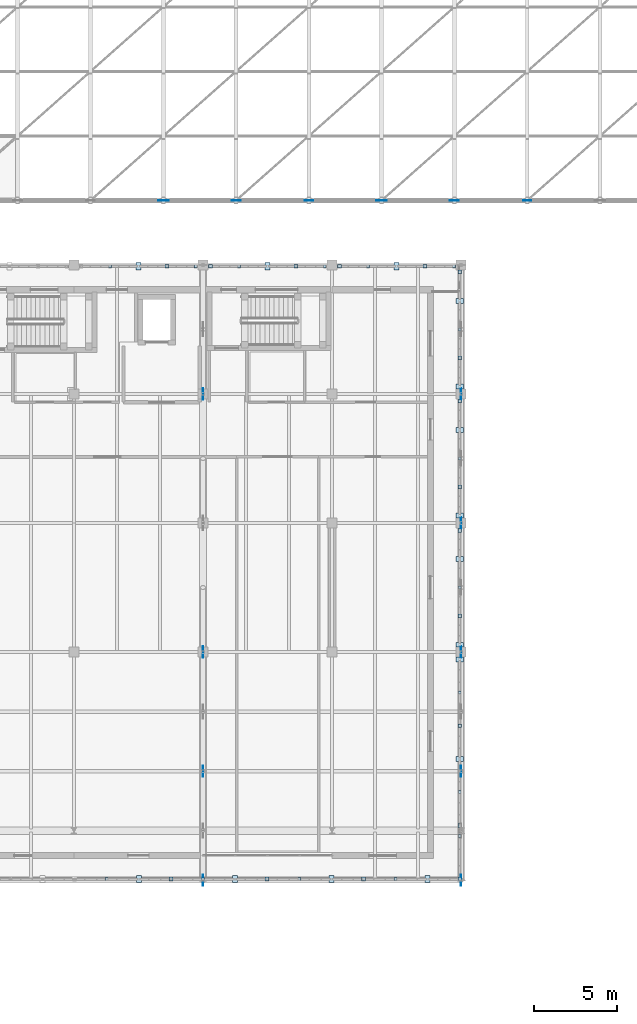
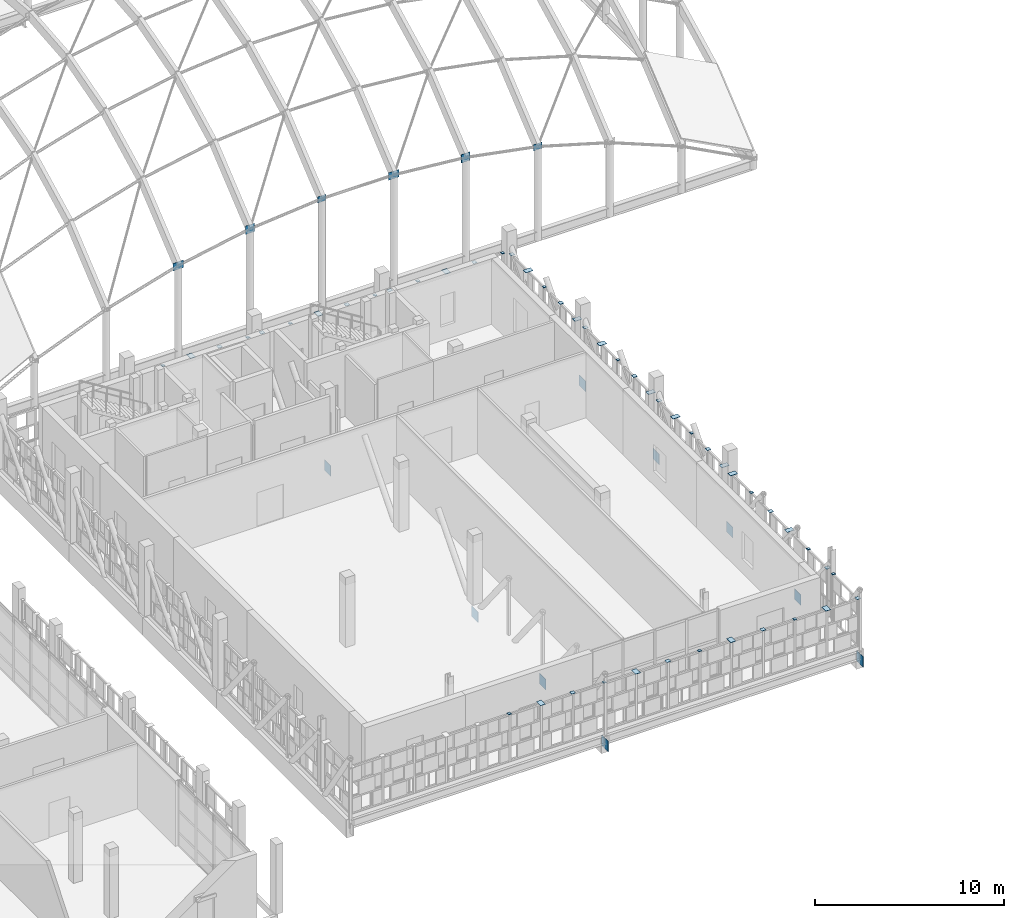
# One storey, part 79 of 119: 63 plates.
"""IFC4 building model written with IfcOpenShell, lengths in metres."""

from ifc_helpers import new_model, si_unit, direction, frame, origin, origin_2d, place, context, subcontext, project, spatial, rectangle, extrude, material, layer, layer_set, type_object, element, save


model = new_model("IFC4")

# Units and contexts
model_context = context("Model", 3, precision=1e-05, world=origin(), true_north=direction((0.0, 1.0)))
body_context = subcontext(model_context, "Body", "Model", "MODEL_VIEW")
ifc_project = project(units=[si_unit("LENGTHUNIT", "METRE"), si_unit("AREAUNIT", "SQUARE_METRE"), si_unit("VOLUMEUNIT", "CUBIC_METRE"), si_unit("PLANEANGLEUNIT", "RADIAN"), si_unit("MASSUNIT", "GRAM", prefix="KILO")], contexts=[model_context])

# Site, building, storey
site_placement = place(None, origin())
site = spatial("IfcSite", under=ifc_project, at=site_placement, CompositionType="ELEMENT")
building_placement = place(site_placement, origin())
building = spatial("IfcBuilding", under=site, at=building_placement, Name="Celorna Specialist Clinic", CompositionType="ELEMENT")
storey_placement = place(building_placement, frame((0.0, 0.0, 9.60009765625)))
storey = spatial("IfcBuildingStorey", under=building, at=storey_placement, Name="L02", CompositionType="ELEMENT", Elevation=9.60009765625)

# Plates
ifc_material = material(Name="Steel S355", Category="steel")
ifc_layer_1 = layer(ifc_material, 0.011962890625, Name="Steel S355")
ifc_layer_set_1 = layer_set([ifc_layer_1], Name="Steel S355")
plate_type_1 = type_object("IfcPlateType", Name="EP-06", PredefinedType="SHEET", material=ifc_layer_set_1)
for number, where, z_axis, x_axis, name in (
    (1, (64.3798828125, 5.780029296875, 3.080078125), (0.0, 0.0, 1.0), (1.0, 0.0, 0.0), "Screen post cap plate EP-06 #6"),
    (2, (70.199951171875, 5.780029296875, 3.080078125), (0.0, 0.0, 1.0), (1.0, 0.0, 0.0), "Screen post cap plate EP-06 #9"),
    (3, (76.02001953125, 5.780029296875, 3.080078125), (0.0, 0.0, 1.0), (1.0, 0.0, 0.0), "Screen post cap plate EP-06 #12"),
    (4, (81.840087890625, 5.780029296875, 3.080078125), (0.0, 0.0, 1.0), (1.0, 0.0, 0.0), "Screen post cap plate EP-06 #15"),
    (5, (85.719970703125, 8.3798828125, 3.080078125), (0.0, 0.0, 1.0), (0.0, 1.0, 0.0), "Screen post cap plate EP-06 #351"),
    (6, (85.719970703125, 11.028076171875, 3.080078125), (0.0, 0.0, 1.0), (0.0, 1.0, 0.0), "Screen post cap plate EP-06 #357"),
    (7, (85.719970703125, 17.052001953125, 3.080078125), (0.0, 0.0, 1.0), (0.0, 1.0, 0.0), "Screen post cap plate EP-06 #360"),
    (8, (85.719970703125, 23.39990234375, 3.080078125), (0.0, 0.0, 1.0), (0.0, 1.0, 0.0), "Screen post cap plate EP-06 #384"),
    (9, (85.719970703125, 31.199951171875, 3.080078125), (0.0, 0.0, 1.0), (0.0, 1.0, 0.0), "Screen post cap plate EP-06 #405"),
    (10, (85.719970703125, 39.0, 3.080078125), (0.0, 0.0, 1.0), (0.0, 1.0, 0.0), "Screen post cap plate EP-06 #426"),
    (11, (64.570068359375, 42.820068359375, 3.080078125), (0.0, 0.0, 1.0), (1.0, 0.0, 0.0), "Screen post cap plate EP-06 #561"),
    (12, (69.760009765625, 42.820068359375, 3.080078125), (0.0, 0.0, 1.0), (1.0, 0.0, 0.0), "Screen post cap plate EP-06 #564"),
    (13, (72.3701171875, 42.820068359375, 3.080078125), (0.0, 0.0, 1.0), (1.0, 0.0, 0.0), "Screen post cap plate EP-06 #582"),
    (14, (77.56005859375, 42.820068359375, 3.080078125), (0.0, 0.0, 1.0), (1.0, 0.0, 0.0), "Screen post cap plate EP-06 #585"),
    (15, (80.169921875, 42.820068359375, 3.080078125), (0.0, 0.0, 1.0), (1.0, 0.0, 0.0), "Screen post cap plate EP-06 #603"),
    (16, (85.360107421875, 42.820068359375, 3.080078125), (0.0, 0.0, 1.0), (1.0, 0.0, 0.0), "Screen post cap plate EP-06 #606"),
):
    element("IfcPlate", number, at=place(storey_placement, frame(where, z_axis=z_axis, x_axis=x_axis)), inside=storey, type_object=plate_type_1, Name=name, PredefinedType="SHEET", context=body_context, shape_type="SweptSolid", body=[
        extrude(rectangle(XDim=0.179931640625, YDim=0.179931640625, at=origin_2d()), origin(), (0.0, 0.0, 1.0), 0.011962890625),
    ])
ifc_layer_2 = layer(ifc_material, 0.01611328125, Name="Steel S355")
ifc_layer_set_2 = layer_set([ifc_layer_2], Name="Steel S355")
plate_type_2 = type_object("IfcPlateType", Name="EP-07", PredefinedType="SHEET", material=ifc_layer_set_2)
for number, where, z_axis, x_axis, name in (
    (17, (66.320068359375, 5.780029296875, 3.079833984375), (0.0, 0.0, 1.0), (1.0, 0.0, 0.0), "Screen post cap plate EP-07 #7"),
    (18, (72.139892578125, 5.780029296875, 3.079833984375), (0.0, 0.0, 1.0), (1.0, 0.0, 0.0), "Screen post cap plate EP-07 #10"),
    (19, (77.9599609375, 5.780029296875, 3.079833984375), (0.0, 0.0, 1.0), (1.0, 0.0, 0.0), "Screen post cap plate EP-07 #13"),
    (20, (83.780029296875, 5.780029296875, 3.079833984375), (0.0, 0.0, 1.0), (1.0, 0.0, 0.0), "Screen post cap plate EP-07 #16"),
    (21, (85.719970703125, 13.035888671875, 3.079833984375), (0.0, 0.0, 1.0), (0.0, 1.0, 0.0), "Screen post cap plate EP-07 #358"),
    (22, (85.719970703125, 19.06005859375, 3.079833984375), (0.0, 0.0, 1.0), (0.0, 1.0, 0.0), "Screen post cap plate EP-07 #361"),
    (23, (85.719970703125, 19.93994140625, 3.079833984375), (0.0, 0.0, 1.0), (0.0, 1.0, 0.0), "Screen post cap plate EP-07 #382"),
    (24, (85.719970703125, 25.1298828125, 3.079833984375), (0.0, 0.0, 1.0), (0.0, 1.0, 0.0), "Screen post cap plate EP-07 #385"),
    (25, (85.719970703125, 27.739990234375, 3.079833984375), (0.0, 0.0, 1.0), (0.0, 1.0, 0.0), "Screen post cap plate EP-07 #403"),
    (26, (85.719970703125, 32.929931640625, 3.079833984375), (0.0, 0.0, 1.0), (0.0, 1.0, 0.0), "Screen post cap plate EP-07 #406"),
    (27, (85.719970703125, 35.5400390625, 3.079833984375), (0.0, 0.0, 1.0), (0.0, 1.0, 0.0), "Screen post cap plate EP-07 #424"),
    (28, (85.719970703125, 40.72998046875, 3.079833984375), (0.0, 0.0, 1.0), (0.0, 1.0, 0.0), "Screen post cap plate EP-07 #427"),
    (29, (66.300048828125, 42.820068359375, 3.079833984375), (0.0, 0.0, 1.0), (1.0, 0.0, 0.0), "Screen post cap plate EP-07 #562"),
    (30, (74.10009765625, 42.820068359375, 3.079833984375), (0.0, 0.0, 1.0), (1.0, 0.0, 0.0), "Screen post cap plate EP-07 #583"),
    (31, (81.89990234375, 42.820068359375, 3.079833984375), (0.0, 0.0, 1.0), (1.0, 0.0, 0.0), "Screen post cap plate EP-07 #604"),
):
    element("IfcPlate", number, at=place(storey_placement, frame(where, z_axis=z_axis, x_axis=x_axis)), inside=storey, type_object=plate_type_2, Name=name, PredefinedType="SHEET", context=body_context, shape_type="SweptSolid", body=[
        extrude(rectangle(XDim=0.300048828125, YDim=0.43994140625, at=origin_2d()), origin(), (0.0, 0.0, 1.0), 0.01611328125),
    ])
ifc_layer_3 = layer(ifc_material, 0.013916015625, Name="Steel S355")
ifc_layer_set_3 = layer_set([ifc_layer_3], Name="Steel S355")
plate_type_3 = type_object("IfcPlateType", Name="EP-08", PredefinedType="SHEET", material=ifc_layer_set_3)
for number, where, z_axis, x_axis, name in (
    (32, (68.260009765625, 5.780029296875, 3.080078125), (0.0, 0.0, 1.0), (1.0, 0.0, 0.0), "Screen post cap plate EP-08 #8"),
    (33, (74.080078125, 5.780029296875, 3.080078125), (0.0, 0.0, 1.0), (1.0, 0.0, 0.0), "Screen post cap plate EP-08 #11"),
    (34, (79.89990234375, 5.780029296875, 3.080078125), (0.0, 0.0, 1.0), (1.0, 0.0, 0.0), "Screen post cap plate EP-08 #14"),
    (35, (85.719970703125, 5.780029296875, 3.080078125), (0.0, 0.0, 1.0), (1.0, 0.0, 0.0), "Screen post cap plate EP-08 #17"),
    (36, (85.719970703125, 9.02001953125, 3.080078125), (0.0, 0.0, 1.0), (0.0, 1.0, 0.0), "Screen post cap plate EP-08 #356"),
    (37, (85.719970703125, 15.0439453125, 3.080078125), (0.0, 0.0, 1.0), (0.0, 1.0, 0.0), "Screen post cap plate EP-08 #359"),
    (38, (85.719970703125, 21.669921875, 3.080078125), (0.0, 0.0, 1.0), (0.0, 1.0, 0.0), "Screen post cap plate EP-08 #383"),
    (39, (85.719970703125, 26.860107421875, 3.080078125), (0.0, 0.0, 1.0), (0.0, 1.0, 0.0), "Screen post cap plate EP-08 #386"),
    (40, (85.719970703125, 29.469970703125, 3.080078125), (0.0, 0.0, 1.0), (0.0, 1.0, 0.0), "Screen post cap plate EP-08 #404"),
    (41, (85.719970703125, 34.659912109375, 3.080078125), (0.0, 0.0, 1.0), (0.0, 1.0, 0.0), "Screen post cap plate EP-08 #407"),
    (42, (85.719970703125, 37.27001953125, 3.080078125), (0.0, 0.0, 1.0), (0.0, 1.0, 0.0), "Screen post cap plate EP-08 #425"),
    (43, (85.719970703125, 42.4599609375, 3.080078125), (0.0, 0.0, 1.0), (0.0, 1.0, 0.0), "Screen post cap plate EP-08 #428"),
    (44, (68.030029296875, 42.820068359375, 3.080078125), (0.0, 0.0, 1.0), (1.0, 0.0, 0.0), "Screen post cap plate EP-08 #563"),
    (45, (70.639892578125, 42.820068359375, 3.080078125), (0.0, 0.0, 1.0), (1.0, 0.0, 0.0), "Screen post cap plate EP-08 #581"),
    (46, (75.830078125, 42.820068359375, 3.080078125), (0.0, 0.0, 1.0), (1.0, 0.0, 0.0), "Screen post cap plate EP-08 #584"),
    (47, (78.43994140625, 42.820068359375, 3.080078125), (0.0, 0.0, 1.0), (1.0, 0.0, 0.0), "Screen post cap plate EP-08 #602"),
    (48, (83.6298828125, 42.820068359375, 3.080078125), (0.0, 0.0, 1.0), (1.0, 0.0, 0.0), "Screen post cap plate EP-08 #605"),
):
    element("IfcPlate", number, at=place(storey_placement, frame(where, z_axis=z_axis, x_axis=x_axis)), inside=storey, type_object=plate_type_3, Name=name, PredefinedType="SHEET", context=body_context, shape_type="SweptSolid", body=[
        extrude(rectangle(XDim=0.239990234375, YDim=0.239990234375, at=origin_2d()), origin(), (0.0, 0.0, 1.0), 0.013916015625),
    ])
ifc_layer_4 = layer(ifc_material, 0.02197265625, Name="Steel S355")
ifc_layer_set_4 = layer_set([ifc_layer_4], Name="Steel S355")
plate_type_4 = type_object("IfcPlateType", Name="GP-03", PredefinedType="USERDEFINED", material=ifc_layer_set_4)
for number, where, z_axis, x_axis, name in (
    (49, (67.800048828125, 46.800048828125, 5.751953125), (0.0, 0.0, 1.0), (1.0, 0.0, 0.0), "GSH-V1 gridshell steel node shoe GN-04"),
    (50, (81.0, 46.800048828125, 7.00341796875), (0.0, 0.0, 1.0), (1.0, 0.0, 0.0), "GSH-V1 gridshell steel node shoe GN-07"),
):
    element("IfcPlate", number, at=place(storey_placement, frame(where, z_axis=z_axis, x_axis=x_axis)), inside=storey, type_object=plate_type_4, Name=name, ObjectType="GUSSET PLATE", PredefinedType="USERDEFINED", context=body_context, shape_type="SweptSolid", body=[
        extrude(rectangle(XDim=0.639892578125, YDim=0.02197265625, at=origin_2d()), origin(), (0.0, 0.0, 1.0), 0.47998046875),
    ])
ifc_layer_5 = layer(ifc_material, 0.02001953125, Name="Steel S355")
ifc_layer_set_5 = layer_set([ifc_layer_5], Name="Steel S355")
plate_type_5 = type_object("IfcPlateType", Name="GP-04", PredefinedType="USERDEFINED", material=ifc_layer_set_5)
for number, where, z_axis, x_axis, name in (
    (51, (72.199951171875, 46.800048828125, 6.56005859375), (0.0, 0.0, 1.0), (1.0, 0.0, 0.0), "GSH-V1 gridshell steel node shoe GN-05"),
    (52, (85.39990234375, 46.800048828125, 6.56005859375), (0.0, 0.0, 1.0), (1.0, 0.0, 0.0), "GSH-V1 gridshell steel node shoe GN-08"),
):
    element("IfcPlate", number, at=place(storey_placement, frame(where, z_axis=z_axis, x_axis=x_axis)), inside=storey, type_object=plate_type_5, Name=name, ObjectType="GUSSET PLATE", PredefinedType="USERDEFINED", context=body_context, shape_type="SweptSolid", body=[
        extrude(rectangle(XDim=0.5400390625, YDim=0.02001953125, at=origin_2d()), origin(), (0.0, 0.0, 1.0), 0.5400390625),
    ])
ifc_layer_6 = layer(ifc_material, 0.02392578125, Name="Steel S355")
ifc_layer_set_6 = layer_set([ifc_layer_6], Name="Steel S355")
plate_type_6 = type_object("IfcPlateType", Name="GP-07", PredefinedType="USERDEFINED", material=ifc_layer_set_6)
for number, where, z_axis, x_axis, name in (
    (53, (70.199951171875, 5.699951171875, -1.17529296875), (0.0, 0.0, 1.0), (0.0, 1.0, 0.0), "Truss node gusset plate TN-033"),
    (54, (70.199951171875, 12.300048828125, -1.17529296875), (0.0, 0.0, 1.0), (0.0, 1.0, 0.0), "Truss node gusset plate TN-035"),
    (55, (70.199951171875, 19.5, -1.17529296875), (0.0, 0.0, 1.0), (0.0, 1.0, 0.0), "Truss node gusset plate TN-037"),
    (56, (70.199951171875, 35.10009765625, -1.17529296875), (0.0, 0.0, 1.0), (0.0, 1.0, 0.0), "Truss node gusset plate TN-039"),
    (57, (85.800048828125, 5.699951171875, -1.17529296875), (0.0, 0.0, 1.0), (0.0, 1.0, 0.0), "Truss node gusset plate TN-055"),
    (58, (85.800048828125, 12.300048828125, -1.17529296875), (0.0, 0.0, 1.0), (0.0, 1.0, 0.0), "Truss node gusset plate TN-057"),
    (59, (85.800048828125, 19.5, -1.17529296875), (0.0, 0.0, 1.0), (0.0, 1.0, 0.0), "Truss node gusset plate TN-059"),
    (60, (85.800048828125, 27.300048828125, -1.17529296875), (0.0, 0.0, 1.0), (0.0, 1.0, 0.0), "Truss node gusset plate TN-061"),
    (61, (85.800048828125, 35.10009765625, -1.17529296875), (0.0, 0.0, 1.0), (0.0, 1.0, 0.0), "Truss node gusset plate TN-063"),
):
    element("IfcPlate", number, at=place(storey_placement, frame(where, z_axis=z_axis, x_axis=x_axis)), inside=storey, type_object=plate_type_6, Name=name, ObjectType="GUSSET PLATE", PredefinedType="USERDEFINED", context=body_context, shape_type="SweptSolid", body=[
        extrude(rectangle(XDim=0.679931640625, YDim=0.02392578125, at=origin_2d()), origin(), (0.0, 0.0, 1.0), 0.679931640625),
    ])
ifc_layer_7 = layer(ifc_material, 0.02001953125, Name="Steel S355")
ifc_layer_set_7 = layer_set([ifc_layer_7], Name="Steel S355")
plate_type_7 = type_object("IfcPlateType", Name="GP-08", PredefinedType="USERDEFINED", material=ifc_layer_set_7)
for number, where, z_axis, x_axis, name in (
    (62, (76.60009765625, 46.800048828125, 7.04345703125), (0.0, 0.0, 1.0), (1.0, 0.0, 0.0), "GSH-V1 gridshell steel node shoe GN-06"),
    (63, (89.800048828125, 46.800048828125, 5.7919921875), (0.0, 0.0, 1.0), (1.0, 0.0, 0.0), "GSH-V1 gridshell steel node shoe GN-09"),
):
    element("IfcPlate", number, at=place(storey_placement, frame(where, z_axis=z_axis, x_axis=x_axis)), inside=storey, type_object=plate_type_7, Name=name, ObjectType="GUSSET PLATE", PredefinedType="USERDEFINED", context=body_context, shape_type="SweptSolid", body=[
        extrude(rectangle(XDim=0.5, YDim=0.02001953125, at=origin_2d()), origin(), (0.0, 0.0, 1.0), 0.39990234375),
    ])

save(model, "model.ifc")
